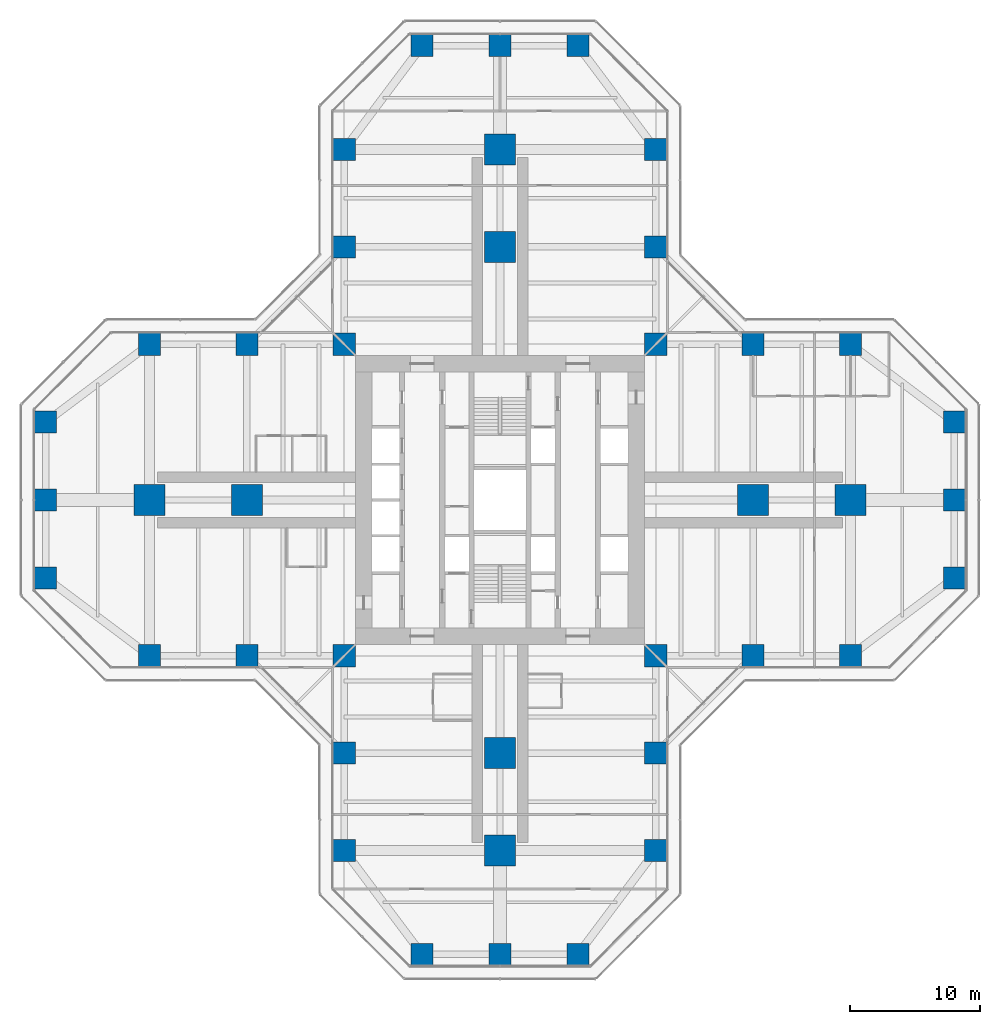
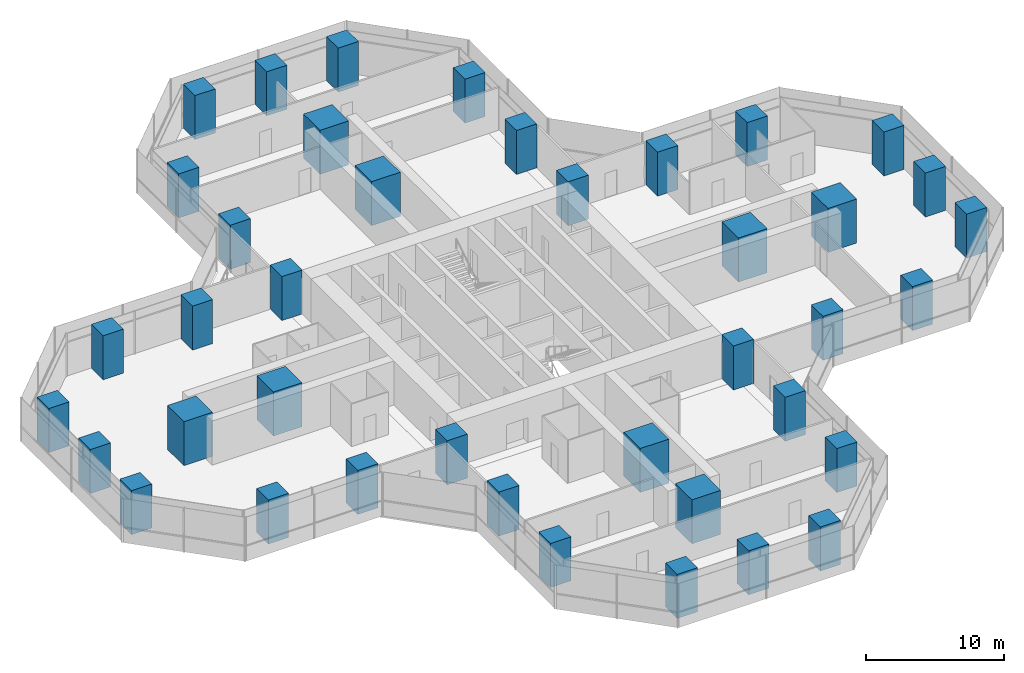
# One storey, part 1 of 22: 40 columns.
"""IFC4 building model written with IfcOpenShell, lengths in metres."""

from ifc_helpers import new_model, si_unit, direction, frame, origin, origin_2d, place, context, subcontext, project, spatial, rectangle, extrude, material, material_profile, profile_set, type_object, element, save


model = new_model("IFC4")

# Units and contexts
model_context = context("Model", 3, precision=1e-05, world=origin(), true_north=direction((0.0, 1.0)))
body_context = subcontext(model_context, "Body", "Model", "MODEL_VIEW")
ifc_project = project(units=[si_unit("LENGTHUNIT", "METRE"), si_unit("AREAUNIT", "SQUARE_METRE"), si_unit("VOLUMEUNIT", "CUBIC_METRE"), si_unit("PLANEANGLEUNIT", "RADIAN"), si_unit("MASSUNIT", "GRAM", prefix="KILO")], contexts=[model_context])

# Site, building, storey
site_placement = place(None, origin())
site = spatial("IfcSite", under=ifc_project, at=site_placement, CompositionType="ELEMENT")
building_placement = place(site_placement, origin())
building = spatial("IfcBuilding", under=site, at=building_placement, Name="Mizan Broadcast Tower", CompositionType="ELEMENT")
storey_placement = place(building_placement, frame((0.0, 0.0, 94.199951171875)))
storey = spatial("IfcBuildingStorey", under=building, at=storey_placement, Name="L20", CompositionType="ELEMENT", Elevation=94.199951171875)

# Columns
ifc_material_1 = material(Name="Concrete C70/85", Category="concrete")
ifc_material_profile_1 = material_profile(ifc_material_1, rectangle(XDim=1.699951171875, YDim=1.699951171875, at=origin_2d()), Name="RC 1700x1700")
ifc_profile_set_1 = profile_set([ifc_material_profile_1], Name="Concrete C70/85")
column_type_1 = type_object("IfcColumnType", Name="RC COLUMN 1700x1700 C70/85", PredefinedType="COLUMN", material=ifc_profile_set_1)
for number, where, z_axis, x_axis, name in (
    (1, (-6.0, -35.0, 0.0), (0.0, 0.0, 1.0), (1.0, 0.0, 0.0), "Column 5/A L20"),
    (2, (0.0, -35.0, 0.0), (0.0, 0.0, 1.0), (1.0, 0.0, 0.0), "Column 6/A L20"),
    (3, (6.0, -35.0, 0.0), (0.0, 0.0, 1.0), (1.0, 0.0, 0.0), "Column 7/A L20"),
    (4, (-12.0, -27.0, 0.0), (0.0, 0.0, 1.0), (1.0, 0.0, 0.0), "Column 4/B L20"),
    (5, (12.0, -27.0, 0.0), (0.0, 0.0, 1.0), (1.0, 0.0, 0.0), "Column 8/B L20"),
    (6, (-12.0, -19.5, 0.0), (0.0, 0.0, 1.0), (1.0, 0.0, 0.0), "Column 4/C L20"),
    (7, (12.0, -19.5, 0.0), (0.0, 0.0, 1.0), (1.0, 0.0, 0.0), "Column 8/C L20"),
    (8, (-27.0, -12.0, 0.0), (0.0, 0.0, 1.0), (1.0, 0.0, 0.0), "Column 2/D L20"),
    (9, (-19.5, -12.0, 0.0), (0.0, 0.0, 1.0), (1.0, 0.0, 0.0), "Column 3/D L20"),
    (10, (-12.0, -12.0, 0.0), (0.0, 0.0, 1.0), (1.0, 0.0, 0.0), "Column 4/D L20"),
    (11, (12.0, -12.0, 0.0), (0.0, 0.0, 1.0), (1.0, 0.0, 0.0), "Column 8/D L20"),
    (12, (19.5, -12.0, 0.0), (0.0, 0.0, 1.0), (1.0, 0.0, 0.0), "Column 9/D L20"),
    (13, (27.0, -12.0, 0.0), (0.0, 0.0, 1.0), (1.0, 0.0, 0.0), "Column 10/D L20"),
    (14, (-35.0, -6.0, 0.0), (0.0, 0.0, 1.0), (1.0, 0.0, 0.0), "Column 1/E L20"),
    (15, (35.0, -6.0, 0.0), (0.0, 0.0, 1.0), (1.0, 0.0, 0.0), "Column 11/E L20"),
    (16, (-35.0, 0.0, 0.0), (0.0, 0.0, 1.0), (1.0, 0.0, 0.0), "Column 1/F L20"),
    (17, (35.0, 0.0, 0.0), (0.0, 0.0, 1.0), (1.0, 0.0, 0.0), "Column 11/F L20"),
    (18, (-35.0, 6.0, 0.0), (0.0, 0.0, 1.0), (1.0, 0.0, 0.0), "Column 1/G L20"),
    (19, (35.0, 6.0, 0.0), (0.0, 0.0, 1.0), (1.0, 0.0, 0.0), "Column 11/G L20"),
    (20, (-27.0, 12.0, 0.0), (0.0, 0.0, 1.0), (1.0, 0.0, 0.0), "Column 2/H L20"),
    (21, (-19.5, 12.0, 0.0), (0.0, 0.0, 1.0), (1.0, 0.0, 0.0), "Column 3/H L20"),
    (22, (-12.0, 12.0, 0.0), (0.0, 0.0, 1.0), (1.0, 0.0, 0.0), "Column 4/H L20"),
    (23, (12.0, 12.0, 0.0), (0.0, 0.0, 1.0), (1.0, 0.0, 0.0), "Column 8/H L20"),
    (24, (19.5, 12.0, 0.0), (0.0, 0.0, 1.0), (1.0, 0.0, 0.0), "Column 9/H L20"),
    (25, (27.0, 12.0, 0.0), (0.0, 0.0, 1.0), (1.0, 0.0, 0.0), "Column 10/H L20"),
    (26, (-12.0, 19.5, 0.0), (0.0, 0.0, 1.0), (1.0, 0.0, 0.0), "Column 4/J L20"),
    (27, (12.0, 19.5, 0.0), (0.0, 0.0, 1.0), (1.0, 0.0, 0.0), "Column 8/J L20"),
    (28, (-12.0, 27.0, 0.0), (0.0, 0.0, 1.0), (1.0, 0.0, 0.0), "Column 4/K L20"),
    (29, (12.0, 27.0, 0.0), (0.0, 0.0, 1.0), (1.0, 0.0, 0.0), "Column 8/K L20"),
    (30, (-6.0, 35.0, 0.0), (0.0, 0.0, 1.0), (1.0, 0.0, 0.0), "Column 5/L L20"),
    (31, (0.0, 35.0, 0.0), (0.0, 0.0, 1.0), (1.0, 0.0, 0.0), "Column 6/L L20"),
    (32, (6.0, 35.0, 0.0), (0.0, 0.0, 1.0), (1.0, 0.0, 0.0), "Column 7/L L20"),
):
    element("IfcColumn", number, at=place(storey_placement, frame(where, z_axis=z_axis, x_axis=x_axis)), inside=storey, type_object=column_type_1, Name=name, PredefinedType="COLUMN", context=body_context, shape_type="SweptSolid", body=[
        extrude(rectangle(XDim=1.699951171875, YDim=1.699951171875, at=origin_2d()), origin(), (0.0, 0.0, 1.0), 3.900146484375),
    ])
ifc_material_2 = material(Name="Concrete C70/85", Category="concrete")
ifc_material_profile_2 = material_profile(ifc_material_2, rectangle(XDim=2.39990234375, YDim=2.39990234375, at=origin_2d()), Name="RC 2400x2400")
ifc_profile_set_2 = profile_set([ifc_material_profile_2], Name="Concrete C70/85")
column_type_2 = type_object("IfcColumnType", Name="RC COLUMN 2400x2400 C70/85", PredefinedType="COLUMN", material=ifc_profile_set_2)
for number, where, z_axis, x_axis, name in (
    (33, (0.0, -27.0, 0.0), (0.0, 0.0, 1.0), (1.0, 0.0, 0.0), "Column 6/B L20"),
    (34, (0.0, -19.5, 0.0), (0.0, 0.0, 1.0), (1.0, 0.0, 0.0), "Column 6/C L20"),
    (35, (-27.0, 0.0, 0.0), (0.0, 0.0, 1.0), (1.0, 0.0, 0.0), "Column 2/F L20"),
    (36, (-19.5, 0.0, 0.0), (0.0, 0.0, 1.0), (1.0, 0.0, 0.0), "Column 3/F L20"),
    (37, (19.5, 0.0, 0.0), (0.0, 0.0, 1.0), (1.0, 0.0, 0.0), "Column 9/F L20"),
    (38, (27.0, 0.0, 0.0), (0.0, 0.0, 1.0), (1.0, 0.0, 0.0), "Column 10/F L20"),
    (39, (0.0, 19.5, 0.0), (0.0, 0.0, 1.0), (1.0, 0.0, 0.0), "Column 6/J L20"),
    (40, (0.0, 27.0, 0.0), (0.0, 0.0, 1.0), (1.0, 0.0, 0.0), "Column 6/K L20"),
):
    element("IfcColumn", number, at=place(storey_placement, frame(where, z_axis=z_axis, x_axis=x_axis)), inside=storey, type_object=column_type_2, Name=name, PredefinedType="COLUMN", context=body_context, shape_type="SweptSolid", body=[
        extrude(rectangle(XDim=2.39990234375, YDim=2.39990234375, at=origin_2d()), origin(), (0.0, 0.0, 1.0), 3.900146484375),
    ])

save(model, "model.ifc")
